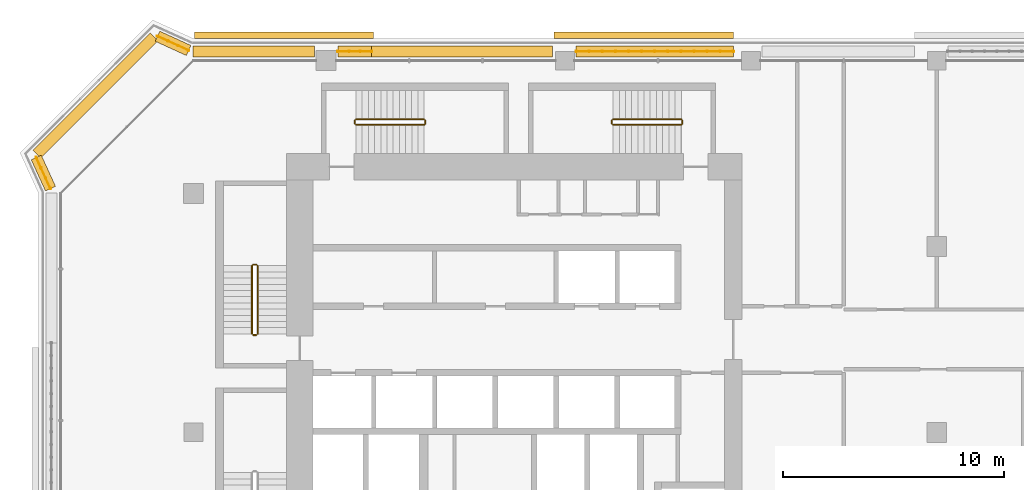
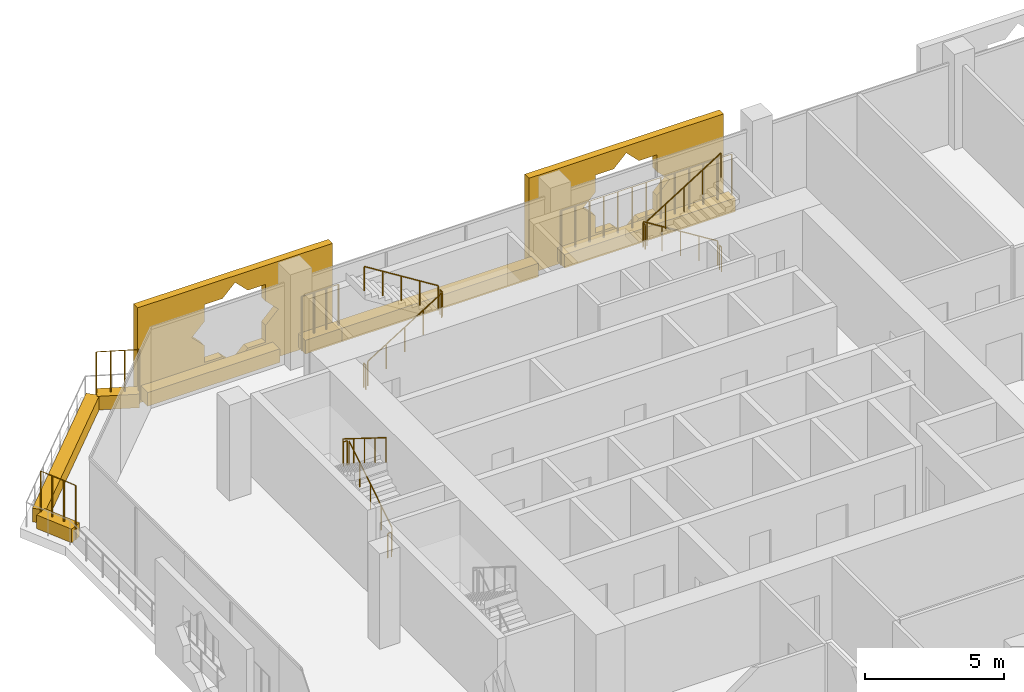
# One storey, part 19 of 21: 16 railings, 9 coverings.
"""IFC4 building model written with IfcOpenShell, lengths in metres."""

from ifc_helpers import new_model, si_unit, direction, frame, origin, origin_2d, place, context, subcontext, project, spatial, polyline, rectangle, circle, outline, extrude, material, material_profile, profile_set, type_object, element, save


model = new_model("IFC4")

# Units and contexts
model_context = context("Model", 3, precision=1e-05, world=origin(), true_north=direction((0.0, 1.0)))
body_context = subcontext(model_context, "Body", "Model", "MODEL_VIEW")
ifc_project = project(units=[si_unit("LENGTHUNIT", "METRE"), si_unit("AREAUNIT", "SQUARE_METRE"), si_unit("VOLUMEUNIT", "CUBIC_METRE"), si_unit("PLANEANGLEUNIT", "RADIAN"), si_unit("MASSUNIT", "GRAM", prefix="KILO")], contexts=[model_context])

# Site, building, storey
site_placement = place(None, origin())
site = spatial("IfcSite", under=ifc_project, at=site_placement, CompositionType="ELEMENT")
building_placement = place(site_placement, origin())
building = spatial("IfcBuilding", under=site, at=building_placement, Name="Kawkab Arch Medical Tower", CompositionType="ELEMENT")
storey_placement = place(building_placement, frame((0.0, 0.0, 234.800048828125)))
storey = spatial("IfcBuildingStorey", under=building, at=storey_placement, Name="L54", CompositionType="ELEMENT", Elevation=234.800048828125)

# Coverings
ifc_material_1 = material(Name="Bronze anodised aluminium mashrabiya panel, eight-point star pattern", Category="aluminium")
ifc_material_profile_1 = material_profile(ifc_material_1, outline(polyline([(-4.050048828125, -2.10009765625), (4.050048828125, -2.10009765625), (4.050048828125, 2.10009765625), (-4.050048828125, 2.10009765625), (-4.050048828125, -2.10009765625)]), holes=[polyline([(1.800048828125, 0.0), (1.272705078125, 0.527099609375), (1.272705078125, 1.272705078125), (0.527099609375, 1.272705078125), (0.0, 1.800048828125), (-0.527099609375, 1.272705078125), (-1.272705078125, 1.272705078125), (-1.272705078125, 0.527099609375), (-1.800048828125, 0.0), (-1.272705078125, -0.527099609375), (-1.272705078125, -1.272705078125), (-0.527099609375, -1.272705078125), (0.0, -1.800048828125), (0.527099609375, -1.272705078125), (1.272705078125, -1.272705078125), (1.272705078125, -0.527099609375), (1.800048828125, 0.0)])]), Name="Mashrabiya panel 8100x4200")
ifc_profile_set_1 = profile_set([ifc_material_profile_1], Name="Bronze anodised aluminium mashrabiya panel, eight-point star pattern")
covering_type_1 = type_object("IfcCoveringType", Name="Mashrabiya panel 8100 x 4200", PredefinedType="USERDEFINED", material=ifc_profile_set_1)
for number, where, z_axis, x_axis, name in (
    (1, (4.089599609375, 1.0, 1.699951171875), (0.0, 1.0, 0.0), (-1.0, 0.0, 0.0), "Mashrabiya panel L54.LOG-01-01.5"),
    (2, (20.3564453125, 1.0, 1.699951171875), (0.0, 1.0, 0.0), (-1.0, 0.0, 0.0), "Mashrabiya panel L54.LOG-01-01.6"),
):
    element("IfcCovering", number, at=place(storey_placement, frame(where, z_axis=z_axis, x_axis=x_axis)), inside=storey, type_object=covering_type_1, Name=name, ObjectType="SCREEN", PredefinedType="USERDEFINED", context=body_context, shape_type="SweptSolid", body=[
        extrude(outline(polyline([(-4.050048828125, -2.10009765625), (4.050048828125, -2.10009765625), (4.050048828125, 2.10009765625), (-4.050048828125, 2.10009765625), (-4.050048828125, -2.10009765625)]), holes=[polyline([(1.800048828125, 0.0), (1.272705078125, 0.527099609375), (1.272705078125, 1.272705078125), (0.527099609375, 1.272705078125), (0.0, 1.800048828125), (-0.527099609375, 1.272705078125), (-1.272705078125, 1.272705078125), (-1.272705078125, 0.527099609375), (-1.800048828125, 0.0), (-1.272705078125, -0.527099609375), (-1.272705078125, -1.272705078125), (-0.527099609375, -1.272705078125), (0.0, -1.800048828125), (0.527099609375, -1.272705078125), (1.272705078125, -1.272705078125), (1.272705078125, -0.527099609375), (1.800048828125, 0.0)])]), origin(), (0.0, 0.0, 1.0), 0.300048828125),
    ])
ifc_material_2 = material(Name="Planting soil in a precast trough", Category="concrete")
ifc_material_profile_2 = material_profile(ifc_material_2, rectangle(XDim=0.5, YDim=0.60009765625, at=origin_2d()), Name="Trough 500x600")
ifc_profile_set_2 = profile_set([ifc_material_profile_2], Name="Planting soil in a precast trough")
covering_type_2 = type_object("IfcCoveringType", Name="Planter trough 500 x 600", PredefinedType="USERDEFINED", material=ifc_profile_set_2)
covering_1_placement = place(storey_placement, frame((-6.4609375, -5.782958984375, 0.300048828125), z_axis=(-0.415363486165, 0.909655525109, 0.0), x_axis=(-0.909655525109, -0.415363486165, 0.0)))
element("IfcCovering", 3, at=covering_1_placement, inside=storey, type_object=covering_type_2, Name="Planter L54.LOG-01-01.13", ObjectType="PLANTER", PredefinedType="USERDEFINED", context=body_context, shape_type="SweptSolid", body=[
    extrude(rectangle(XDim=0.5, YDim=0.60009765625, at=origin_2d()), origin(), (0.0, 0.0, 1.0), 1.54345703125),
])
covering_2_placement = place(storey_placement, frame((-7.072998046875, -4.217041015625, 0.300048828125), z_axis=(0.707106781187, 0.707106781187, 0.0), x_axis=(-0.707106781187, 0.707106781187, 0.0)))
element("IfcCovering", 4, at=covering_2_placement, inside=storey, type_object=covering_type_2, Name="Planter L54.LOG-01-01.14", ObjectType="PLANTER", PredefinedType="USERDEFINED", context=body_context, shape_type="SweptSolid", body=[
    extrude(rectangle(XDim=0.5, YDim=0.60009765625, at=origin_2d()), origin(), (0.0, 0.0, 1.0), 7.481201171875),
])
covering_3_placement = place(storey_placement, frame((-1.62109375, 1.10205078125, 0.300048828125), z_axis=(0.909655525109, -0.415363486165, 0.0), x_axis=(0.415363486165, 0.909655525109, 0.0)))
element("IfcCovering", 5, at=covering_3_placement, inside=storey, type_object=covering_type_2, Name="Planter L54.LOG-01-01.15", ObjectType="PLANTER", PredefinedType="USERDEFINED", context=body_context, shape_type="SweptSolid", body=[
    extrude(rectangle(XDim=0.5, YDim=0.60009765625, at=origin_2d()), origin(), (0.0, 0.0, 1.0), 1.54345703125),
])
covering_4_placement = place(storey_placement, frame((-0.02587890625, 0.419921875, 0.300048828125), z_axis=(1.0, 0.0, 0.0), x_axis=(0.0, 1.0, 0.0)))
element("IfcCovering", 6, at=covering_4_placement, inside=storey, type_object=covering_type_2, Name="Planter L54.LOG-01-01.16", ObjectType="PLANTER", PredefinedType="USERDEFINED", context=body_context, shape_type="SweptSolid", body=[
    extrude(rectangle(XDim=0.5, YDim=0.60009765625, at=origin_2d()), origin(), (0.0, 0.0, 1.0), 5.495849609375),
])
covering_5_placement = place(storey_placement, frame((6.530029296875, 0.419921875, 0.300048828125), z_axis=(1.0, 0.0, 0.0), x_axis=(0.0, 1.0, 0.0)))
element("IfcCovering", 7, at=covering_5_placement, inside=storey, type_object=covering_type_2, Name="Planter L54.LOG-01-01.17", ObjectType="PLANTER", PredefinedType="USERDEFINED", context=body_context, shape_type="SweptSolid", body=[
    extrude(rectangle(XDim=0.5, YDim=0.60009765625, at=origin_2d()), origin(), (0.0, 0.0, 1.0), 1.52294921875),
])
covering_6_placement = place(storey_placement, frame((8.052978515625, 0.419921875, 0.300048828125), z_axis=(1.0, 0.0, 0.0), x_axis=(0.0, 1.0, 0.0)))
element("IfcCovering", 8, at=covering_6_placement, inside=storey, type_object=covering_type_2, Name="Planter L54.LOG-01-01.18", ObjectType="PLANTER", PredefinedType="USERDEFINED", context=body_context, shape_type="SweptSolid", body=[
    extrude(rectangle(XDim=0.5, YDim=0.60009765625, at=origin_2d()), origin(), (0.0, 0.0, 1.0), 8.178955078125),
])
covering_7_placement = place(storey_placement, frame((17.304931640625, 0.419921875, 0.300048828125), z_axis=(1.0, 0.0, 0.0), x_axis=(0.0, 1.0, 0.0)))
element("IfcCovering", 9, at=covering_7_placement, inside=storey, type_object=covering_type_2, Name="Planter L54.LOG-01-01.19", ObjectType="PLANTER", PredefinedType="USERDEFINED", context=body_context, shape_type="SweptSolid", body=[
    extrude(rectangle(XDim=0.5, YDim=0.60009765625, at=origin_2d()), origin(), (0.0, 0.0, 1.0), 7.10595703125),
])

# Railings
ifc_material_3 = material(Name="Bronze anodised aluminium trellis for climbing plants", Category="aluminium")
railing_type_1 = type_object("IfcRailingType", Name="Planting trellis 2400", PredefinedType="USERDEFINED", material=ifc_material_3)
railing_1_placement = place(storey_placement, frame((-6.4609375, -5.782958984375, 0.0)))
element("IfcRailing", 10, at=railing_1_placement, inside=storey, type_object=railing_type_1, Name="Planting trellis L54.LOG-01-01.13", ObjectType="TRELLIS", PredefinedType="USERDEFINED", context=body_context, shape_type="SweptSolid", body=[
    extrude(circle(Radius=0.01513671875, at=origin_2d()), frame((0.0, 0.0, 2.384765625), z_axis=(-0.415363486165, 0.909655525109, 0.0), x_axis=(-0.909655525109, -0.415363486165, 0.0)), (0.0, 0.0, 1.0), 1.54345703125),
    extrude(circle(Radius=0.030029296875, at=origin_2d()), origin(), (0.0, 0.0, 1.0), 2.369873046875),
    extrude(circle(Radius=0.030029296875, at=origin_2d()), frame((-0.213623046875, 0.468017578125, 0.0)), (0.0, 0.0, 1.0), 2.369873046875),
    extrude(circle(Radius=0.030029296875, at=origin_2d()), frame((-0.427490234375, 0.93603515625, 0.0)), (0.0, 0.0, 1.0), 2.369873046875),
    extrude(circle(Radius=0.030029296875, at=origin_2d()), frame((-0.64111328125, 1.404052734375, 0.0)), (0.0, 0.0, 1.0), 2.369873046875),
])
railing_2_placement = place(storey_placement, frame((-1.62109375, 1.10205078125, 0.0)))
element("IfcRailing", 11, at=railing_2_placement, inside=storey, type_object=railing_type_1, Name="Planting trellis L54.LOG-01-01.15", ObjectType="TRELLIS", PredefinedType="USERDEFINED", context=body_context, shape_type="SweptSolid", body=[
    extrude(circle(Radius=0.01513671875, at=origin_2d()), frame((0.0, 0.0, 2.384765625), z_axis=(0.909655525109, -0.415363486165, 0.0), x_axis=(0.415363486165, 0.909655525109, 0.0)), (0.0, 0.0, 1.0), 1.54345703125),
    extrude(circle(Radius=0.030029296875, at=origin_2d()), origin(), (0.0, 0.0, 1.0), 2.369873046875),
    extrude(circle(Radius=0.030029296875, at=origin_2d()), frame((0.468017578125, -0.213623046875, 0.0)), (0.0, 0.0, 1.0), 2.369873046875),
    extrude(circle(Radius=0.030029296875, at=origin_2d()), frame((0.93603515625, -0.427490234375, 0.0)), (0.0, 0.0, 1.0), 2.369873046875),
    extrude(circle(Radius=0.030029296875, at=origin_2d()), frame((1.404052734375, -0.64111328125, 0.0)), (0.0, 0.0, 1.0), 2.369873046875),
])
railing_3_placement = place(storey_placement, frame((6.530029296875, 0.419921875, 0.0)))
element("IfcRailing", 12, at=railing_3_placement, inside=storey, type_object=railing_type_1, Name="Planting trellis L54.LOG-01-01.17", ObjectType="TRELLIS", PredefinedType="USERDEFINED", context=body_context, shape_type="SweptSolid", body=[
    extrude(circle(Radius=0.01513671875, at=origin_2d()), frame((0.0, 0.0, 2.384765625), z_axis=(1.0, 0.0, 0.0), x_axis=(0.0, 1.0, 0.0)), (0.0, 0.0, 1.0), 1.52294921875),
    extrude(circle(Radius=0.030029296875, at=origin_2d()), origin(), (0.0, 0.0, 1.0), 2.369873046875),
    extrude(circle(Radius=0.030029296875, at=origin_2d()), frame((0.507568359375, 0.0, 0.0)), (0.0, 0.0, 1.0), 2.369873046875),
    extrude(circle(Radius=0.030029296875, at=origin_2d()), frame((1.015380859375, 0.0, 0.0)), (0.0, 0.0, 1.0), 2.369873046875),
    extrude(circle(Radius=0.030029296875, at=origin_2d()), frame((1.52294921875, 0.0, 0.0)), (0.0, 0.0, 1.0), 2.369873046875),
])
railing_4_placement = place(storey_placement, frame((17.304931640625, 0.419921875, 0.0)))
element("IfcRailing", 13, at=railing_4_placement, inside=storey, type_object=railing_type_1, Name="Planting trellis L54.LOG-01-01.19", ObjectType="TRELLIS", PredefinedType="USERDEFINED", context=body_context, shape_type="SweptSolid", body=[
    extrude(circle(Radius=0.01513671875, at=origin_2d()), frame((0.0, 0.0, 2.384765625), z_axis=(1.0, 0.0, 0.0), x_axis=(0.0, 1.0, 0.0)), (0.0, 0.0, 1.0), 7.10595703125),
    extrude(circle(Radius=0.030029296875, at=origin_2d()), origin(), (0.0, 0.0, 1.0), 2.369873046875),
    extrude(circle(Radius=0.030029296875, at=origin_2d()), frame((0.59228515625, 0.0, 0.0)), (0.0, 0.0, 1.0), 2.369873046875),
    extrude(circle(Radius=0.030029296875, at=origin_2d()), frame((1.184326171875, 0.0, 0.0)), (0.0, 0.0, 1.0), 2.369873046875),
    extrude(circle(Radius=0.030029296875, at=origin_2d()), frame((1.7763671875, 0.0, 0.0)), (0.0, 0.0, 1.0), 2.369873046875),
    extrude(circle(Radius=0.030029296875, at=origin_2d()), frame((2.36865234375, 0.0, 0.0)), (0.0, 0.0, 1.0), 2.369873046875),
    extrude(circle(Radius=0.030029296875, at=origin_2d()), frame((2.9609375, 0.0, 0.0)), (0.0, 0.0, 1.0), 2.369873046875),
    extrude(circle(Radius=0.030029296875, at=origin_2d()), frame((3.552978515625, 0.0, 0.0)), (0.0, 0.0, 1.0), 2.369873046875),
    extrude(circle(Radius=0.030029296875, at=origin_2d()), frame((4.14501953125, 0.0, 0.0)), (0.0, 0.0, 1.0), 2.369873046875),
    extrude(circle(Radius=0.030029296875, at=origin_2d()), frame((4.7373046875, 0.0, 0.0)), (0.0, 0.0, 1.0), 2.369873046875),
    extrude(circle(Radius=0.030029296875, at=origin_2d()), frame((5.32958984375, 0.0, 0.0)), (0.0, 0.0, 1.0), 2.369873046875),
    extrude(circle(Radius=0.030029296875, at=origin_2d()), frame((5.921630859375, 0.0, 0.0)), (0.0, 0.0, 1.0), 2.369873046875),
    extrude(circle(Radius=0.030029296875, at=origin_2d()), frame((6.513671875, 0.0, 0.0)), (0.0, 0.0, 1.0), 2.369873046875),
    extrude(circle(Radius=0.030029296875, at=origin_2d()), frame((7.10595703125, 0.0, 0.0)), (0.0, 0.0, 1.0), 2.369873046875),
])
ifc_material_4 = material(Name="Stainless steel", Category="steel")
railing_type_2 = type_object("IfcRailingType", Name="Stair guard 1100", PredefinedType="GUARDRAIL", material=ifc_material_4)
railing_5_placement = place(storey_placement, frame((2.89990234375, -12.35009765625, 0.175048828125)))
element("IfcRailing", 14, at=railing_5_placement, inside=storey, type_object=railing_type_2, Name="L54 ST1 stair guard 1", PredefinedType="GUARDRAIL", context=body_context, shape_type="SweptSolid", body=[
    extrude(circle(Radius=0.02392578125, at=origin_2d()), frame((0.0, 0.0, 1.076171875), z_axis=(0.0, 0.848028513186, 0.529950602248), x_axis=(-1.0, 0.0, 0.0)), (0.0, 0.0, 1.0), 3.632080078125),
    extrude(circle(Radius=0.02099609375, at=origin_2d()), origin(), (0.0, 0.0, 1.0), 1.052001953125),
    extrude(circle(Radius=0.02099609375, at=origin_2d()), frame((0.0, 0.77001953125, 0.481201171875)), (0.0, 0.0, 1.0), 1.052001953125),
    extrude(circle(Radius=0.02099609375, at=origin_2d()), frame((0.0, 1.5400390625, 0.96240234375)), (0.0, 0.0, 1.0), 1.052001953125),
    extrude(circle(Radius=0.02099609375, at=origin_2d()), frame((0.0, 2.31005859375, 1.443603515625)), (0.0, 0.0, 1.0), 1.052001953125),
    extrude(circle(Radius=0.02099609375, at=origin_2d()), frame((0.0, 3.080078125, 1.9248046875)), (0.0, 0.0, 1.0), 1.052001953125),
])
railing_6_placement = place(storey_placement, frame((2.85009765625, -9.219970703125, 2.099853515625)))
element("IfcRailing", 15, at=railing_6_placement, inside=storey, type_object=railing_type_2, Name="L54 ST1 stair guard 2", PredefinedType="GUARDRAIL", context=body_context, shape_type="SweptSolid", body=[
    extrude(circle(Radius=0.02392578125, at=origin_2d()), frame((0.0, 0.0, 1.076171875), z_axis=(-1.0, 0.0, 0.0), x_axis=(0.0, -1.0, 0.0)), (0.0, 0.0, 1.0), 0.150146484375),
    extrude(circle(Radius=0.02099609375, at=origin_2d()), origin(), (0.0, 0.0, 1.0), 1.052001953125),
    extrude(circle(Radius=0.02099609375, at=origin_2d()), frame((-0.150146484375, 0.0, 0.0)), (0.0, 0.0, 1.0), 1.052001953125),
])
railing_7_placement = place(storey_placement, frame((2.64990234375, -9.27001953125, 2.27490234375)))
element("IfcRailing", 16, at=railing_7_placement, inside=storey, type_object=railing_type_2, Name="L54 ST1 stair guard 3", PredefinedType="GUARDRAIL", context=body_context, shape_type="SweptSolid", body=[
    extrude(circle(Radius=0.02392578125, at=origin_2d()), frame((0.0, 0.0, 1.076171875), z_axis=(0.0, -0.847998304005, 0.529998940003), x_axis=(1.0, 0.0, 0.0)), (0.0, 0.0, 1.0), 3.632080078125),
    extrude(circle(Radius=0.02099609375, at=origin_2d()), origin(), (0.0, 0.0, 1.0), 1.052001953125),
    extrude(circle(Radius=0.02099609375, at=origin_2d()), frame((0.0, -0.77001953125, 0.481201171875)), (0.0, 0.0, 1.0), 1.052001953125),
    extrude(circle(Radius=0.02099609375, at=origin_2d()), frame((0.0, -1.5400390625, 0.96240234375)), (0.0, 0.0, 1.0), 1.052001953125),
    extrude(circle(Radius=0.02099609375, at=origin_2d()), frame((0.0, -2.31005859375, 1.44384765625)), (0.0, 0.0, 1.0), 1.052001953125),
    extrude(circle(Radius=0.02099609375, at=origin_2d()), frame((0.0, -3.080078125, 1.925048828125)), (0.0, 0.0, 1.0), 1.052001953125),
])
railing_8_placement = place(storey_placement, frame((2.85009765625, -12.39990234375, 0.0)))
element("IfcRailing", 17, at=railing_8_placement, inside=storey, type_object=railing_type_2, Name="L54 ST1 stair guard 4", PredefinedType="GUARDRAIL", context=body_context, shape_type="SweptSolid", body=[
    extrude(circle(Radius=0.02392578125, at=origin_2d()), frame((0.0, 0.0, 1.076171875), z_axis=(-1.0, 0.0, 0.0), x_axis=(0.0, -1.0, 0.0)), (0.0, 0.0, 1.0), 0.150146484375),
    extrude(circle(Radius=0.02099609375, at=origin_2d()), origin(), (0.0, 0.0, 1.0), 1.052001953125),
    extrude(circle(Radius=0.02099609375, at=origin_2d()), frame((-0.150146484375, 0.0, 0.0)), (0.0, 0.0, 1.0), 1.052001953125),
])
railing_9_placement = place(storey_placement, frame((7.35009765625, -2.89990234375, 0.175048828125)))
element("IfcRailing", 18, at=railing_9_placement, inside=storey, type_object=railing_type_2, Name="L54 ST3 stair guard 1", PredefinedType="GUARDRAIL", context=body_context, shape_type="SweptSolid", body=[
    extrude(circle(Radius=0.02392578125, at=origin_2d()), frame((0.0, 0.0, 1.076171875), z_axis=(0.848009633417, 0.0, 0.529980812513), x_axis=(0.0, 1.0, 0.0)), (0.0, 0.0, 1.0), 3.6318359375),
    extrude(circle(Radius=0.02099609375, at=origin_2d()), origin(), (0.0, 0.0, 1.0), 1.052001953125),
    extrude(circle(Radius=0.02099609375, at=origin_2d()), frame((0.77001953125, 0.0, 0.481201171875)), (0.0, 0.0, 1.0), 1.052001953125),
    extrude(circle(Radius=0.02099609375, at=origin_2d()), frame((1.5400390625, 0.0, 0.96240234375)), (0.0, 0.0, 1.0), 1.052001953125),
    extrude(circle(Radius=0.02099609375, at=origin_2d()), frame((2.309814453125, 0.0, 1.443603515625)), (0.0, 0.0, 1.0), 1.052001953125),
    extrude(circle(Radius=0.02099609375, at=origin_2d()), frame((3.079833984375, 0.0, 1.9248046875)), (0.0, 0.0, 1.0), 1.052001953125),
])
railing_10_placement = place(storey_placement, frame((10.47998046875, -2.85009765625, 2.099853515625)))
element("IfcRailing", 19, at=railing_10_placement, inside=storey, type_object=railing_type_2, Name="L54 ST3 stair guard 2", PredefinedType="GUARDRAIL", context=body_context, shape_type="SweptSolid", body=[
    extrude(circle(Radius=0.02392578125, at=origin_2d()), frame((0.0, 0.0, 1.076171875), z_axis=(0.0, 1.0, 0.0), x_axis=(-1.0, 0.0, 0.0)), (0.0, 0.0, 1.0), 0.150146484375),
    extrude(circle(Radius=0.02099609375, at=origin_2d()), origin(), (0.0, 0.0, 1.0), 1.052001953125),
    extrude(circle(Radius=0.02099609375, at=origin_2d()), frame((0.0, 0.150146484375, 0.0)), (0.0, 0.0, 1.0), 1.052001953125),
])
railing_11_placement = place(storey_placement, frame((10.429931640625, -2.64990234375, 2.27490234375)))
element("IfcRailing", 20, at=railing_11_placement, inside=storey, type_object=railing_type_2, Name="L54 ST3 stair guard 3", PredefinedType="GUARDRAIL", context=body_context, shape_type="SweptSolid", body=[
    extrude(circle(Radius=0.02392578125, at=origin_2d()), frame((0.0, 0.0, 1.076171875), z_axis=(-0.847979421464, 0.0, 0.530029150871), x_axis=(0.0, -1.0, 0.0)), (0.0, 0.0, 1.0), 3.632080078125),
    extrude(circle(Radius=0.02099609375, at=origin_2d()), origin(), (0.0, 0.0, 1.0), 1.052001953125),
    extrude(circle(Radius=0.02099609375, at=origin_2d()), frame((-0.77001953125, 0.0, 0.481201171875)), (0.0, 0.0, 1.0), 1.052001953125),
    extrude(circle(Radius=0.02099609375, at=origin_2d()), frame((-1.5400390625, 0.0, 0.96240234375)), (0.0, 0.0, 1.0), 1.052001953125),
    extrude(circle(Radius=0.02099609375, at=origin_2d()), frame((-2.309814453125, 0.0, 1.44384765625)), (0.0, 0.0, 1.0), 1.052001953125),
    extrude(circle(Radius=0.02099609375, at=origin_2d()), frame((-3.079833984375, 0.0, 1.925048828125)), (0.0, 0.0, 1.0), 1.052001953125),
])
railing_12_placement = place(storey_placement, frame((7.300048828125, -2.85009765625, 0.0)))
element("IfcRailing", 21, at=railing_12_placement, inside=storey, type_object=railing_type_2, Name="L54 ST3 stair guard 4", PredefinedType="GUARDRAIL", context=body_context, shape_type="SweptSolid", body=[
    extrude(circle(Radius=0.02392578125, at=origin_2d()), frame((0.0, 0.0, 1.076171875), z_axis=(0.0, 1.0, 0.0), x_axis=(-1.0, 0.0, 0.0)), (0.0, 0.0, 1.0), 0.150146484375),
    extrude(circle(Radius=0.02099609375, at=origin_2d()), origin(), (0.0, 0.0, 1.0), 1.052001953125),
    extrude(circle(Radius=0.02099609375, at=origin_2d()), frame((0.0, 0.150146484375, 0.0)), (0.0, 0.0, 1.0), 1.052001953125),
])
railing_13_placement = place(storey_placement, frame((22.050048828125, -2.64990234375, 0.175048828125)))
element("IfcRailing", 22, at=railing_13_placement, inside=storey, type_object=railing_type_2, Name="L54 ST4 stair guard 1", PredefinedType="GUARDRAIL", context=body_context, shape_type="SweptSolid", body=[
    extrude(circle(Radius=0.02392578125, at=origin_2d()), frame((0.0, 0.0, 1.076171875), z_axis=(-0.848028513186, 0.0, 0.529950602248), x_axis=(0.0, -1.0, 0.0)), (0.0, 0.0, 1.0), 3.632080078125),
    extrude(circle(Radius=0.02099609375, at=origin_2d()), origin(), (0.0, 0.0, 1.0), 1.052001953125),
    extrude(circle(Radius=0.02099609375, at=origin_2d()), frame((-0.77001953125, 0.0, 0.481201171875)), (0.0, 0.0, 1.0), 1.052001953125),
    extrude(circle(Radius=0.02099609375, at=origin_2d()), frame((-1.5400390625, 0.0, 0.96240234375)), (0.0, 0.0, 1.0), 1.052001953125),
    extrude(circle(Radius=0.02099609375, at=origin_2d()), frame((-2.31005859375, 0.0, 1.443603515625)), (0.0, 0.0, 1.0), 1.052001953125),
    extrude(circle(Radius=0.02099609375, at=origin_2d()), frame((-3.080078125, 0.0, 1.9248046875)), (0.0, 0.0, 1.0), 1.052001953125),
])
railing_14_placement = place(storey_placement, frame((18.919921875, -2.699951171875, 2.099853515625)))
element("IfcRailing", 23, at=railing_14_placement, inside=storey, type_object=railing_type_2, Name="L54 ST4 stair guard 2", PredefinedType="GUARDRAIL", context=body_context, shape_type="SweptSolid", body=[
    extrude(circle(Radius=0.02392578125, at=origin_2d()), frame((0.0, 0.0, 1.076171875), z_axis=(0.0, -1.0, 0.0), x_axis=(1.0, 0.0, 0.0)), (0.0, 0.0, 1.0), 0.150146484375),
    extrude(circle(Radius=0.02099609375, at=origin_2d()), origin(), (0.0, 0.0, 1.0), 1.052001953125),
    extrude(circle(Radius=0.02099609375, at=origin_2d()), frame((0.0, -0.150146484375, 0.0)), (0.0, 0.0, 1.0), 1.052001953125),
])
railing_15_placement = place(storey_placement, frame((18.969970703125, -2.89990234375, 2.27490234375)))
element("IfcRailing", 24, at=railing_15_placement, inside=storey, type_object=railing_type_2, Name="L54 ST4 stair guard 3", PredefinedType="GUARDRAIL", context=body_context, shape_type="SweptSolid", body=[
    extrude(circle(Radius=0.02392578125, at=origin_2d()), frame((0.0, 0.0, 1.076171875), z_axis=(0.847998304005, 0.0, 0.529998940003), x_axis=(0.0, 1.0, 0.0)), (0.0, 0.0, 1.0), 3.632080078125),
    extrude(circle(Radius=0.02099609375, at=origin_2d()), origin(), (0.0, 0.0, 1.0), 1.052001953125),
    extrude(circle(Radius=0.02099609375, at=origin_2d()), frame((0.77001953125, 0.0, 0.481201171875)), (0.0, 0.0, 1.0), 1.052001953125),
    extrude(circle(Radius=0.02099609375, at=origin_2d()), frame((1.5400390625, 0.0, 0.96240234375)), (0.0, 0.0, 1.0), 1.052001953125),
    extrude(circle(Radius=0.02099609375, at=origin_2d()), frame((2.31005859375, 0.0, 1.44384765625)), (0.0, 0.0, 1.0), 1.052001953125),
    extrude(circle(Radius=0.02099609375, at=origin_2d()), frame((3.080078125, 0.0, 1.925048828125)), (0.0, 0.0, 1.0), 1.052001953125),
])
railing_16_placement = place(storey_placement, frame((22.10009765625, -2.699951171875, 0.0)))
element("IfcRailing", 25, at=railing_16_placement, inside=storey, type_object=railing_type_2, Name="L54 ST4 stair guard 4", PredefinedType="GUARDRAIL", context=body_context, shape_type="SweptSolid", body=[
    extrude(circle(Radius=0.02392578125, at=origin_2d()), frame((0.0, 0.0, 1.076171875), z_axis=(0.0, -1.0, 0.0), x_axis=(1.0, 0.0, 0.0)), (0.0, 0.0, 1.0), 0.150146484375),
    extrude(circle(Radius=0.02099609375, at=origin_2d()), origin(), (0.0, 0.0, 1.0), 1.052001953125),
    extrude(circle(Radius=0.02099609375, at=origin_2d()), frame((0.0, -0.150146484375, 0.0)), (0.0, 0.0, 1.0), 1.052001953125),
])

save(model, "model.ifc")
